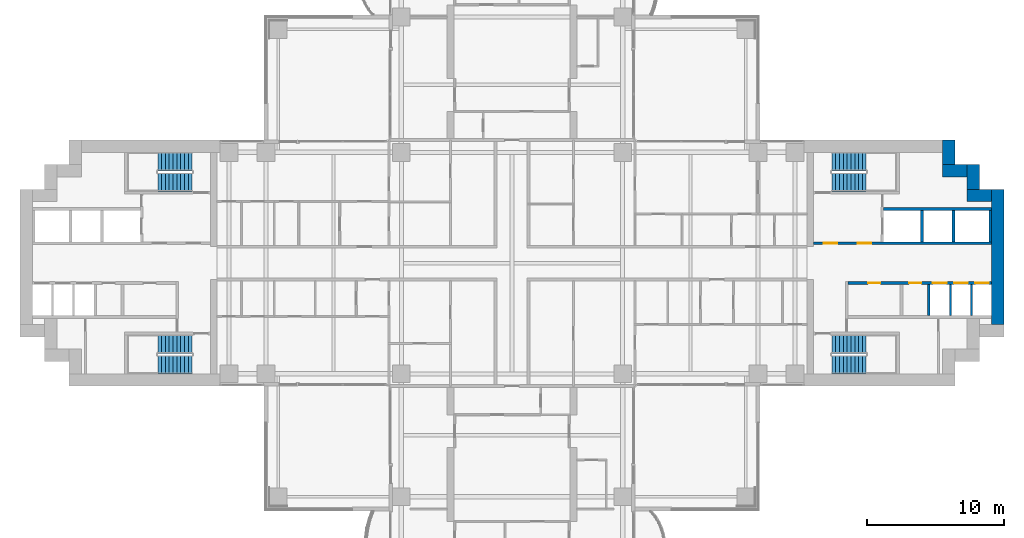
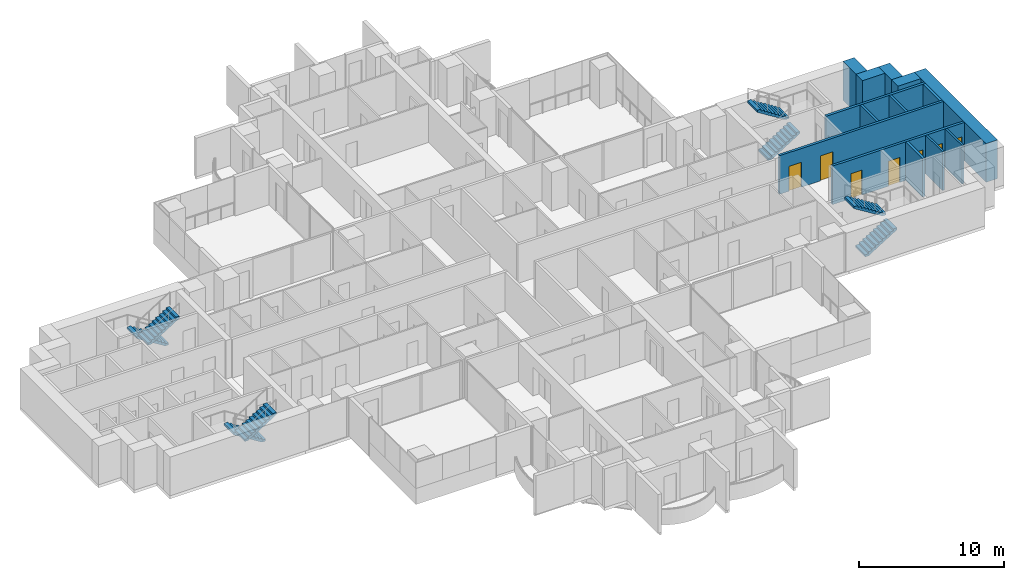
# One storey, part 16 of 20: 14 walls, 8 stair flights, 7 doors, 7 openings, 4 elements without a shape of their own.
"""IFC4 building model written with IfcOpenShell, lengths in metres."""

from ifc_helpers import new_model, si_unit, direction, frame, frame_2d, origin, place, context, subcontext, project, spatial, polyline, rectangle, outline, extrude, material, layer, layer_set, type_object, element, fill, aggregate, save


model = new_model("IFC4")

# Units and contexts
model_context = context("Model", 3, precision=1e-05, world=origin(), true_north=direction((0.0, 1.0)))
body_context = subcontext(model_context, "Body", "Model", "MODEL_VIEW")
ifc_project = project(units=[si_unit("LENGTHUNIT", "METRE"), si_unit("AREAUNIT", "SQUARE_METRE"), si_unit("VOLUMEUNIT", "CUBIC_METRE"), si_unit("PLANEANGLEUNIT", "RADIAN"), si_unit("MASSUNIT", "GRAM", prefix="KILO")], contexts=[model_context])

# Site, building, storey
site_placement = place(None, origin())
site = spatial("IfcSite", under=ifc_project, at=site_placement, CompositionType="ELEMENT")
building_placement = place(site_placement, origin())
building = spatial("IfcBuilding", under=site, at=building_placement, Name="Perihelion Cross Residences", CompositionType="ELEMENT")
storey_placement = place(building_placement, frame((0.0, 0.0, 71.5)))
storey = spatial("IfcBuildingStorey", under=building, at=storey_placement, Name="L15", CompositionType="ELEMENT", Elevation=71.5)

# Walls
ifc_material_1 = material(Name="Concrete C60/75", Category="concrete")
ifc_layer_1 = layer(ifc_material_1, 0.89990234375)
ifc_layer_set_1 = layer_set([ifc_layer_1], Name="Core wall, outer 900")
wall_type_1 = type_object("IfcWallType", Name="Core wall, outer 900", PredefinedType="SHEAR", material=ifc_layer_set_1)
wall_1_placement = place(storey_placement, frame((35.550048828125, -4.5, 0.0), z_axis=(0.0, 0.0, 1.0), x_axis=(0.0, 1.0, 0.0)))
element("IfcWall", 1, at=wall_1_placement, inside=storey, type_object=wall_type_1, Name="East core core wall, outer", PredefinedType="SHEAR", context=body_context, shape_type="SweptSolid", body=[
    extrude(rectangle(XDim=9.89990234375, YDim=0.89990234375, at=frame_2d((4.949951171875, 0.0))), origin(), (0.0, 0.0, 1.0), 3.25),
])
for number, where, z_axis, x_axis, name in (
    (2, (33.300048828125, 4.949951171875, 0.0), (0.0, 0.0, 1.0), (1.0, 0.0, 0.0), "East core core wall, outer"),
    (3, (33.75, 5.39990234375, 0.0), (0.0, 0.0, 1.0), (0.0, 1.0, 0.0), "East core core wall, outer"),
    (4, (31.5, 6.75, 0.0), (0.0, 0.0, 1.0), (1.0, 0.0, 0.0), "East core core wall, outer"),
    (5, (31.949951171875, 7.199951171875, 0.0), (0.0, 0.0, 1.0), (0.0, 1.0, 0.0), "East core core wall, outer"),
):
    element("IfcWall", number, at=place(storey_placement, frame(where, z_axis=z_axis, x_axis=x_axis)), inside=storey, type_object=wall_type_1, Name=name, PredefinedType="SHEAR", context=body_context, shape_type="SweptSolid", body=[
        extrude(rectangle(XDim=1.800048828125, YDim=0.89990234375, at=frame_2d((0.89990234375, 0.0))), origin(), (0.0, 0.0, 1.0), 3.25),
    ])
ifc_material_2 = material(Name="Concrete C50/60", Category="concrete")
ifc_layer_2 = layer(ifc_material_2, 0.14990234375)
ifc_layer_set_2 = layer_set([ifc_layer_2], Name="Shaft wall 150")
wall_type_2 = type_object("IfcWallType", Name="Shaft wall 150", PredefinedType="SOLIDWALL", material=ifc_layer_set_2)
for number, where, z_axis, x_axis, name in (
    (6, (32.074951171875, -3.85009765625, 0.0), (0.0, 0.0, 1.0), (0.0, 1.0, 0.0), "East core shaft wall"),
    (7, (33.625, -3.85009765625, 0.0), (0.0, 0.0, 1.0), (0.0, 1.0, 0.0), "East core shaft wall"),
):
    element("IfcWall", number, at=place(storey_placement, frame(where, z_axis=z_axis, x_axis=x_axis)), inside=storey, type_object=wall_type_2, Name=name, PredefinedType="SOLIDWALL", context=body_context, shape_type="SweptSolid", body=[
        extrude(rectangle(XDim=2.300048828125, YDim=0.14990234375, at=frame_2d((1.14990234375, 0.0))), origin(), (0.0, 0.0, 1.0), 3.25),
    ])

# Wall, openings, doors
ifc_material_3 = material(Name="Concrete C50/60", Category="concrete")
ifc_layer_3 = layer(ifc_material_3, 0.199951171875)
ifc_layer_set_3 = layer_set([ifc_layer_3], Name="Shaft wall 200")
wall_type_3 = type_object("IfcWallType", Name="Shaft wall 200", PredefinedType="SOLIDWALL", material=ifc_layer_set_3)
wall_2_placement = place(storey_placement, frame((22.050048828125, 1.449951171875, 0.0), z_axis=(0.0, 0.0, 1.0), x_axis=(1.0, 0.0, 0.0)))
wall_2 = element("IfcWall", 8, at=wall_2_placement, inside=storey, type_object=wall_type_3, Name="East core shaft wall", PredefinedType="SOLIDWALL", context=body_context, shape_type="SweptSolid", body=[
    extrude(rectangle(XDim=13.050048828125, YDim=0.199951171875, at=frame_2d((6.52490234375, 0.0))), origin(), (0.0, 0.0, 1.0), 3.25),
])
opening_1_placement = place(wall_2_placement, frame((0.75, 0.0, 0.0)))
opening_1 = element("IfcOpeningElement", 9, at=opening_1_placement, cuts=wall_2, Name="Opening L15.C07", PredefinedType="OPENING", context=body_context, shape_type="SweptSolid", body=[
    extrude(rectangle(XDim=1.0, YDim=2.10009765625, at=frame_2d((0.5, 1.050048828125))), frame((0.0, 0.10986328125, 0.0), z_axis=(0.0, -1.0, 0.0), x_axis=(1.0, 0.0, 0.0)), (0.0, 0.0, 1.0), 0.219970703125),
])
opening_2_placement = place(wall_2_placement, frame((3.25, 0.0, 0.0)))
opening_2 = element("IfcOpeningElement", 10, at=opening_2_placement, cuts=wall_2, Name="Opening L15.C09", PredefinedType="OPENING", context=body_context, shape_type="SweptSolid", body=[
    extrude(rectangle(XDim=1.0, YDim=2.10009765625, at=frame_2d((0.5, 1.050048828125))), frame((0.0, 0.10986328125, 0.0), z_axis=(0.0, -1.0, 0.0), x_axis=(1.0, 0.0, 0.0)), (0.0, 0.0, 1.0), 0.219970703125),
])
ifc_material_4 = material(Name="Steel, powder coated", Category="steel")
door_type_1 = type_object("IfcDoorType", Name="Lobby door 1000", OperationType="SINGLE_SWING_LEFT", PredefinedType="DOOR", material=ifc_material_4)
door_1_placement = place(opening_1_placement, origin())
door_1 = element("IfcDoor", 11, at=door_1_placement, inside=storey, type_object=door_type_1, Name="East core firefighting lobby door", OperationType="SINGLE_SWING_LEFT", OverallHeight=2.10009765625, OverallWidth=1.0, PredefinedType="DOOR", context=body_context, shape_type="SweptSolid", body=[
    extrude(rectangle(XDim=1.0, YDim=2.10009765625, at=frame_2d((0.5, 1.050048828125))), frame((0.0, 0.02490234375, 0.0), z_axis=(0.0, -1.0, 0.0), x_axis=(1.0, 0.0, 0.0)), (0.0, 0.0, 1.0), 0.050048828125),
])
fill(opening_1, door_1)
door_2_placement = place(opening_2_placement, origin())
door_2 = element("IfcDoor", 12, at=door_2_placement, inside=storey, type_object=door_type_1, Name="East core firefighting lobby door", OperationType="SINGLE_SWING_LEFT", OverallHeight=2.10009765625, OverallWidth=1.0, PredefinedType="DOOR", context=body_context, shape_type="SweptSolid", body=[
    extrude(rectangle(XDim=1.0, YDim=2.10009765625, at=frame_2d((0.5, 1.050048828125))), frame((0.0, 0.02490234375, 0.0), z_axis=(0.0, -1.0, 0.0), x_axis=(1.0, 0.0, 0.0)), (0.0, 0.0, 1.0), 0.050048828125),
])
fill(opening_2, door_2)

wall_3_placement = place(storey_placement, frame((24.60009765625, -1.449951171875, 0.0), z_axis=(0.0, 0.0, 1.0), x_axis=(1.0, 0.0, 0.0)))
wall_3 = element("IfcWall", 13, at=wall_3_placement, inside=storey, type_object=wall_type_3, Name="East core shaft wall", PredefinedType="SOLIDWALL", context=body_context, shape_type="SweptSolid", body=[
    extrude(rectangle(XDim=10.5, YDim=0.199951171875, at=frame_2d((5.25, 0.0))), origin(), (0.0, 0.0, 1.0), 3.25),
])
opening_3_placement = place(wall_3_placement, frame((6.199951171875, 0.0, 0.0)))
opening_3 = element("IfcOpeningElement", 14, at=opening_3_placement, cuts=wall_3, Name="Opening L15.C02", PredefinedType="OPENING", context=body_context, shape_type="SweptSolid", body=[
    extrude(rectangle(XDim=1.0, YDim=2.10009765625, at=frame_2d((0.5, 1.050048828125))), frame((0.0, 0.10986328125, 0.0), z_axis=(0.0, -1.0, 0.0), x_axis=(1.0, 0.0, 0.0)), (0.0, 0.0, 1.0), 0.219970703125),
])
opening_4_placement = place(wall_3_placement, frame((7.75, 0.0, 0.0)))
opening_4 = element("IfcOpeningElement", 15, at=opening_4_placement, cuts=wall_3, Name="Opening L15.C03", PredefinedType="OPENING", context=body_context, shape_type="SweptSolid", body=[
    extrude(rectangle(XDim=1.0, YDim=2.10009765625, at=frame_2d((0.5, 1.050048828125))), frame((0.0, 0.10986328125, 0.0), z_axis=(0.0, -1.0, 0.0), x_axis=(1.0, 0.0, 0.0)), (0.0, 0.0, 1.0), 0.219970703125),
])
opening_5_placement = place(wall_3_placement, frame((9.300048828125, 0.0, 0.0)))
opening_5 = element("IfcOpeningElement", 16, at=opening_5_placement, cuts=wall_3, Name="Opening L15.C04", PredefinedType="OPENING", context=body_context, shape_type="SweptSolid", body=[
    extrude(rectangle(XDim=1.0, YDim=2.10009765625, at=frame_2d((0.5, 1.050048828125))), frame((0.0, 0.10986328125, 0.0), z_axis=(0.0, -1.0, 0.0), x_axis=(1.0, 0.0, 0.0)), (0.0, 0.0, 1.0), 0.219970703125),
])
opening_6_placement = place(wall_3_placement, frame((1.449951171875, 0.0, 0.0)))
opening_6 = element("IfcOpeningElement", 17, at=opening_6_placement, cuts=wall_3, Name="Opening L15.C10", PredefinedType="OPENING", context=body_context, shape_type="SweptSolid", body=[
    extrude(rectangle(XDim=0.89990234375, YDim=2.10009765625, at=frame_2d((0.449951171875, 1.050048828125))), frame((0.0, 0.10986328125, 0.0), z_axis=(0.0, -1.0, 0.0), x_axis=(1.0, 0.0, 0.0)), (0.0, 0.0, 1.0), 0.219970703125),
])
opening_7_placement = place(wall_3_placement, frame((4.449951171875, 0.0, 0.0)))
opening_7 = element("IfcOpeningElement", 18, at=opening_7_placement, cuts=wall_3, Name="Opening L15.C12", PredefinedType="OPENING", context=body_context, shape_type="SweptSolid", body=[
    extrude(rectangle(XDim=0.89990234375, YDim=2.10009765625, at=frame_2d((0.449951171875, 1.050048828125))), frame((0.0, 0.10986328125, 0.0), z_axis=(0.0, -1.0, 0.0), x_axis=(1.0, 0.0, 0.0)), (0.0, 0.0, 1.0), 0.219970703125),
])
ifc_material_5 = material(Name="Stainless steel", Category="steel")
door_type_2 = type_object("IfcDoorType", Name="Landing door 1000", OperationType="DOUBLE_DOOR_SLIDING", PredefinedType="DOOR", material=ifc_material_5)
door_3_placement = place(opening_3_placement, origin())
door_3 = element("IfcDoor", 19, at=door_3_placement, inside=storey, type_object=door_type_2, Name="Landing door, East core low-rise lift 1", OperationType="DOUBLE_DOOR_SLIDING", OverallHeight=2.10009765625, OverallWidth=1.0, PredefinedType="DOOR", context=body_context, shape_type="SweptSolid", body=[
    extrude(rectangle(XDim=1.0, YDim=2.10009765625, at=frame_2d((0.5, 1.050048828125))), frame((0.0, 0.02490234375, 0.0), z_axis=(0.0, -1.0, 0.0), x_axis=(1.0, 0.0, 0.0)), (0.0, 0.0, 1.0), 0.050048828125),
])
fill(opening_3, door_3)
door_4_placement = place(opening_4_placement, origin())
door_4 = element("IfcDoor", 20, at=door_4_placement, inside=storey, type_object=door_type_2, Name="Landing door, East core low-rise lift 2", OperationType="DOUBLE_DOOR_SLIDING", OverallHeight=2.10009765625, OverallWidth=1.0, PredefinedType="DOOR", context=body_context, shape_type="SweptSolid", body=[
    extrude(rectangle(XDim=1.0, YDim=2.10009765625, at=frame_2d((0.5, 1.050048828125))), frame((0.0, 0.02490234375, 0.0), z_axis=(0.0, -1.0, 0.0), x_axis=(1.0, 0.0, 0.0)), (0.0, 0.0, 1.0), 0.050048828125),
])
fill(opening_4, door_4)
door_5_placement = place(opening_5_placement, origin())
door_5 = element("IfcDoor", 21, at=door_5_placement, inside=storey, type_object=door_type_2, Name="Landing door, East core low-rise lift 3", OperationType="DOUBLE_DOOR_SLIDING", OverallHeight=2.10009765625, OverallWidth=1.0, PredefinedType="DOOR", context=body_context, shape_type="SweptSolid", body=[
    extrude(rectangle(XDim=1.0, YDim=2.10009765625, at=frame_2d((0.5, 1.050048828125))), frame((0.0, 0.02490234375, 0.0), z_axis=(0.0, -1.0, 0.0), x_axis=(1.0, 0.0, 0.0)), (0.0, 0.0, 1.0), 0.050048828125),
])
fill(opening_5, door_5)
ifc_material_6 = material(Name="Steel, powder coated", Category="steel")
door_type_3 = type_object("IfcDoorType", Name="Service room door 900", OperationType="SINGLE_SWING_LEFT", PredefinedType="DOOR", material=ifc_material_6)
door_6_placement = place(opening_6_placement, origin())
door_6 = element("IfcDoor", 22, at=door_6_placement, inside=storey, type_object=door_type_3, Name="East core service room door", OperationType="SINGLE_SWING_LEFT", OverallHeight=2.10009765625, OverallWidth=0.89990234375, PredefinedType="DOOR", context=body_context, shape_type="SweptSolid", body=[
    extrude(rectangle(XDim=0.89990234375, YDim=2.10009765625, at=frame_2d((0.449951171875, 1.050048828125))), frame((0.0, 0.02490234375, 0.0), z_axis=(0.0, -1.0, 0.0), x_axis=(1.0, 0.0, 0.0)), (0.0, 0.0, 1.0), 0.050048828125),
])
fill(opening_6, door_6)
door_7_placement = place(opening_7_placement, origin())
door_7 = element("IfcDoor", 23, at=door_7_placement, inside=storey, type_object=door_type_3, Name="East core service room door", OperationType="SINGLE_SWING_LEFT", OverallHeight=2.10009765625, OverallWidth=0.89990234375, PredefinedType="DOOR", context=body_context, shape_type="SweptSolid", body=[
    extrude(rectangle(XDim=0.89990234375, YDim=2.10009765625, at=frame_2d((0.449951171875, 1.050048828125))), frame((0.0, 0.02490234375, 0.0), z_axis=(0.0, -1.0, 0.0), x_axis=(1.0, 0.0, 0.0)), (0.0, 0.0, 1.0), 0.050048828125),
])
fill(opening_7, door_7)

# Walls
wall_4_placement = place(storey_placement, frame((27.199951171875, 3.949951171875, 0.0), z_axis=(0.0, 0.0, 1.0), x_axis=(1.0, 0.0, 0.0)))
element("IfcWall", 24, at=wall_4_placement, inside=storey, type_object=wall_type_3, Name="East core shaft wall", PredefinedType="SOLIDWALL", context=body_context, shape_type="SweptSolid", body=[
    extrude(rectangle(XDim=7.900146484375, YDim=0.199951171875, at=frame_2d((3.9501953125, 0.0))), origin(), (0.0, 0.0, 1.0), 3.25),
])
for number, where, z_axis, x_axis, name in (
    (25, (30.0, 1.550048828125, 0.0), (0.0, 0.0, 1.0), (0.0, 1.0, 0.0), "East core shaft wall"),
    (26, (32.300048828125, 1.550048828125, 0.0), (0.0, 0.0, 1.0), (0.0, 1.0, 0.0), "East core shaft wall"),
    (27, (35.0, 1.550048828125, 0.0), (0.0, 0.0, 1.0), (0.0, 1.0, 0.0), "East core shaft wall"),
    (28, (30.5, -3.85009765625, 0.0), (0.0, 0.0, 1.0), (0.0, 1.0, 0.0), "East core shaft wall"),
):
    element("IfcWall", number, at=place(storey_placement, frame(where, z_axis=z_axis, x_axis=x_axis)), inside=storey, type_object=wall_type_3, Name=name, PredefinedType="SOLIDWALL", context=body_context, shape_type="SweptSolid", body=[
        extrude(rectangle(XDim=2.300048828125, YDim=0.199951171875, at=frame_2d((1.14990234375, 0.0))), origin(), (0.0, 0.0, 1.0), 3.25),
    ])

# Stair, stair flights
ifc_material_7 = material(Name="Concrete C40/50", Category="concrete")
stair_type = type_object("IfcStairType", Name="Exit stair, half-turn", PredefinedType="HALF_TURN_STAIR", material=ifc_material_7)
stair_1_placement = place(storey_placement, origin())
stair_1 = element("IfcStair", 29, at=stair_1_placement, inside=storey, type_object=stair_type, Name="L15 East core exit stair 1", PredefinedType="HALF_TURN_STAIR")
ifc_material_8 = material(Name="Concrete C40/50", Category="concrete")
stair_flight_type = type_object("IfcStairFlightType", Name="Exit stair flight", PredefinedType="STRAIGHT", material=ifc_material_8)
stair_flight_1_placement = place(storey_placement, frame((23.39990234375, 5.925048828125, 0.0), z_axis=(0.0, 0.0, 1.0), x_axis=(1.0, 0.0, 0.0)))
stair_flight_1 = element("IfcStairFlight", 30, at=stair_flight_1_placement, type_object=stair_flight_type, Name="ST-E1 flight 1", NumberOfRisers=10, NumberOfTreads=9, PredefinedType="STRAIGHT", RiserHeight=0.175, TreadLength=0.28, context=body_context, shape_type="SweptSolid", body=[
    extrude(outline(polyline([(0.0, 0.0), (0.0, 0.175048828125), (0.280029296875, 0.175048828125), (0.280029296875, 0.35009765625), (0.56005859375, 0.35009765625), (0.56005859375, 0.52490234375), (0.840087890625, 0.52490234375), (0.840087890625, 0.699951171875), (1.1201171875, 0.699951171875), (1.1201171875, 0.875), (1.39990234375, 0.875), (1.39990234375, 1.050048828125), (1.679931640625, 1.050048828125), (1.679931640625, 1.22509765625), (1.9599609375, 1.22509765625), (1.9599609375, 1.39990234375), (2.239990234375, 1.39990234375), (2.239990234375, 1.574951171875), (2.52001953125, 1.574951171875), (2.52001953125, 1.75), (2.52001953125, 1.398193359375), (0.28271484375, 0.0), (0.0, 0.0)])), frame((0.0, 0.675048828125, 0.0), z_axis=(0.0, -1.0, 0.0), x_axis=(1.0, 0.0, 0.0)), (0.0, 0.0, 1.0), 1.35009765625),
])
stair_flight_2_placement = place(storey_placement, frame((25.919921875, 7.425048828125, 1.75), z_axis=(0.0, 0.0, 1.0), x_axis=(-1.0, 0.0, 0.0)))
stair_flight_2 = element("IfcStairFlight", 31, at=stair_flight_2_placement, type_object=stair_flight_type, Name="ST-E1 flight 2", NumberOfRisers=10, NumberOfTreads=9, PredefinedType="STRAIGHT", RiserHeight=0.175, TreadLength=0.28, context=body_context, shape_type="SweptSolid", body=[
    extrude(outline(polyline([(0.0, 0.0), (0.0, 0.175048828125), (0.280029296875, 0.175048828125), (0.280029296875, 0.35009765625), (0.56005859375, 0.35009765625), (0.56005859375, 0.52490234375), (0.840087890625, 0.52490234375), (0.840087890625, 0.699951171875), (1.1201171875, 0.699951171875), (1.1201171875, 0.875), (1.39990234375, 0.875), (1.39990234375, 1.050048828125), (1.679931640625, 1.050048828125), (1.679931640625, 1.22509765625), (1.9599609375, 1.22509765625), (1.9599609375, 1.39990234375), (2.239990234375, 1.39990234375), (2.239990234375, 1.574951171875), (2.52001953125, 1.574951171875), (2.52001953125, 1.75), (2.52001953125, 1.398193359375), (0.28271484375, 0.0), (0.0, 0.0)])), frame((0.0, 0.675048828125, 0.0), z_axis=(0.0, -1.0, 0.0), x_axis=(1.0, 0.0, 0.0)), (0.0, 0.0, 1.0), 1.35009765625),
])
aggregate(stair_1, [stair_flight_1, stair_flight_2])

stair_2_placement = place(storey_placement, origin())
stair_2 = element("IfcStair", 32, at=stair_2_placement, inside=storey, type_object=stair_type, Name="L15 East core exit stair 2", PredefinedType="HALF_TURN_STAIR")
stair_flight_3_placement = place(storey_placement, frame((23.39990234375, -7.425048828125, 0.0), z_axis=(0.0, 0.0, 1.0), x_axis=(1.0, 0.0, 0.0)))
stair_flight_3 = element("IfcStairFlight", 33, at=stair_flight_3_placement, type_object=stair_flight_type, Name="ST-E2 flight 1", NumberOfRisers=10, NumberOfTreads=9, PredefinedType="STRAIGHT", RiserHeight=0.175, TreadLength=0.28, context=body_context, shape_type="SweptSolid", body=[
    extrude(outline(polyline([(0.0, 0.0), (0.0, 0.175048828125), (0.280029296875, 0.175048828125), (0.280029296875, 0.35009765625), (0.56005859375, 0.35009765625), (0.56005859375, 0.52490234375), (0.840087890625, 0.52490234375), (0.840087890625, 0.699951171875), (1.1201171875, 0.699951171875), (1.1201171875, 0.875), (1.39990234375, 0.875), (1.39990234375, 1.050048828125), (1.679931640625, 1.050048828125), (1.679931640625, 1.22509765625), (1.9599609375, 1.22509765625), (1.9599609375, 1.39990234375), (2.239990234375, 1.39990234375), (2.239990234375, 1.574951171875), (2.52001953125, 1.574951171875), (2.52001953125, 1.75), (2.52001953125, 1.398193359375), (0.28271484375, 0.0), (0.0, 0.0)])), frame((0.0, 0.675048828125, 0.0), z_axis=(0.0, -1.0, 0.0), x_axis=(1.0, 0.0, 0.0)), (0.0, 0.0, 1.0), 1.35009765625),
])
stair_flight_4_placement = place(storey_placement, frame((25.919921875, -5.925048828125, 1.75), z_axis=(0.0, 0.0, 1.0), x_axis=(-1.0, 0.0, 0.0)))
stair_flight_4 = element("IfcStairFlight", 34, at=stair_flight_4_placement, type_object=stair_flight_type, Name="ST-E2 flight 2", NumberOfRisers=10, NumberOfTreads=9, PredefinedType="STRAIGHT", RiserHeight=0.175, TreadLength=0.28, context=body_context, shape_type="SweptSolid", body=[
    extrude(outline(polyline([(0.0, 0.0), (0.0, 0.175048828125), (0.280029296875, 0.175048828125), (0.280029296875, 0.35009765625), (0.56005859375, 0.35009765625), (0.56005859375, 0.52490234375), (0.840087890625, 0.52490234375), (0.840087890625, 0.699951171875), (1.1201171875, 0.699951171875), (1.1201171875, 0.875), (1.39990234375, 0.875), (1.39990234375, 1.050048828125), (1.679931640625, 1.050048828125), (1.679931640625, 1.22509765625), (1.9599609375, 1.22509765625), (1.9599609375, 1.39990234375), (2.239990234375, 1.39990234375), (2.239990234375, 1.574951171875), (2.52001953125, 1.574951171875), (2.52001953125, 1.75), (2.52001953125, 1.398193359375), (0.28271484375, 0.0), (0.0, 0.0)])), frame((0.0, 0.675048828125, 0.0), z_axis=(0.0, -1.0, 0.0), x_axis=(1.0, 0.0, 0.0)), (0.0, 0.0, 1.0), 1.35009765625),
])
aggregate(stair_2, [stair_flight_3, stair_flight_4])

stair_3_placement = place(storey_placement, origin())
stair_3 = element("IfcStair", 35, at=stair_3_placement, inside=storey, type_object=stair_type, Name="L15 West core exit stair 1", PredefinedType="HALF_TURN_STAIR")
stair_flight_5_placement = place(storey_placement, frame((-23.39990234375, 7.425048828125, 0.0), z_axis=(0.0, 0.0, 1.0), x_axis=(-1.0, 0.0, 0.0)))
stair_flight_5 = element("IfcStairFlight", 36, at=stair_flight_5_placement, type_object=stair_flight_type, Name="ST-W1 flight 1", NumberOfRisers=10, NumberOfTreads=9, PredefinedType="STRAIGHT", RiserHeight=0.175, TreadLength=0.28, context=body_context, shape_type="SweptSolid", body=[
    extrude(outline(polyline([(0.0, 0.0), (0.0, 0.175048828125), (0.280029296875, 0.175048828125), (0.280029296875, 0.35009765625), (0.56005859375, 0.35009765625), (0.56005859375, 0.52490234375), (0.840087890625, 0.52490234375), (0.840087890625, 0.699951171875), (1.1201171875, 0.699951171875), (1.1201171875, 0.875), (1.39990234375, 0.875), (1.39990234375, 1.050048828125), (1.679931640625, 1.050048828125), (1.679931640625, 1.22509765625), (1.9599609375, 1.22509765625), (1.9599609375, 1.39990234375), (2.239990234375, 1.39990234375), (2.239990234375, 1.574951171875), (2.52001953125, 1.574951171875), (2.52001953125, 1.75), (2.52001953125, 1.398193359375), (0.28271484375, 0.0), (0.0, 0.0)])), frame((0.0, 0.675048828125, 0.0), z_axis=(0.0, -1.0, 0.0), x_axis=(1.0, 0.0, 0.0)), (0.0, 0.0, 1.0), 1.35009765625),
])
stair_flight_6_placement = place(storey_placement, frame((-25.919921875, 5.925048828125, 1.75), z_axis=(0.0, 0.0, 1.0), x_axis=(1.0, 0.0, 0.0)))
stair_flight_6 = element("IfcStairFlight", 37, at=stair_flight_6_placement, type_object=stair_flight_type, Name="ST-W1 flight 2", NumberOfRisers=10, NumberOfTreads=9, PredefinedType="STRAIGHT", RiserHeight=0.175, TreadLength=0.28, context=body_context, shape_type="SweptSolid", body=[
    extrude(outline(polyline([(0.0, 0.0), (0.0, 0.175048828125), (0.280029296875, 0.175048828125), (0.280029296875, 0.35009765625), (0.56005859375, 0.35009765625), (0.56005859375, 0.52490234375), (0.840087890625, 0.52490234375), (0.840087890625, 0.699951171875), (1.1201171875, 0.699951171875), (1.1201171875, 0.875), (1.39990234375, 0.875), (1.39990234375, 1.050048828125), (1.679931640625, 1.050048828125), (1.679931640625, 1.22509765625), (1.9599609375, 1.22509765625), (1.9599609375, 1.39990234375), (2.239990234375, 1.39990234375), (2.239990234375, 1.574951171875), (2.52001953125, 1.574951171875), (2.52001953125, 1.75), (2.52001953125, 1.398193359375), (0.28271484375, 0.0), (0.0, 0.0)])), frame((0.0, 0.675048828125, 0.0), z_axis=(0.0, -1.0, 0.0), x_axis=(1.0, 0.0, 0.0)), (0.0, 0.0, 1.0), 1.35009765625),
])
aggregate(stair_3, [stair_flight_5, stair_flight_6])

stair_4_placement = place(storey_placement, origin())
stair_4 = element("IfcStair", 38, at=stair_4_placement, inside=storey, type_object=stair_type, Name="L15 West core exit stair 2", PredefinedType="HALF_TURN_STAIR")
stair_flight_7_placement = place(storey_placement, frame((-23.39990234375, -5.925048828125, 0.0), z_axis=(0.0, 0.0, 1.0), x_axis=(-1.0, 0.0, 0.0)))
stair_flight_7 = element("IfcStairFlight", 39, at=stair_flight_7_placement, type_object=stair_flight_type, Name="ST-W2 flight 1", NumberOfRisers=10, NumberOfTreads=9, PredefinedType="STRAIGHT", RiserHeight=0.175, TreadLength=0.28, context=body_context, shape_type="SweptSolid", body=[
    extrude(outline(polyline([(0.0, 0.0), (0.0, 0.175048828125), (0.280029296875, 0.175048828125), (0.280029296875, 0.35009765625), (0.56005859375, 0.35009765625), (0.56005859375, 0.52490234375), (0.840087890625, 0.52490234375), (0.840087890625, 0.699951171875), (1.1201171875, 0.699951171875), (1.1201171875, 0.875), (1.39990234375, 0.875), (1.39990234375, 1.050048828125), (1.679931640625, 1.050048828125), (1.679931640625, 1.22509765625), (1.9599609375, 1.22509765625), (1.9599609375, 1.39990234375), (2.239990234375, 1.39990234375), (2.239990234375, 1.574951171875), (2.52001953125, 1.574951171875), (2.52001953125, 1.75), (2.52001953125, 1.398193359375), (0.28271484375, 0.0), (0.0, 0.0)])), frame((0.0, 0.675048828125, 0.0), z_axis=(0.0, -1.0, 0.0), x_axis=(1.0, 0.0, 0.0)), (0.0, 0.0, 1.0), 1.35009765625),
])
stair_flight_8_placement = place(storey_placement, frame((-25.919921875, -7.425048828125, 1.75), z_axis=(0.0, 0.0, 1.0), x_axis=(1.0, 0.0, 0.0)))
stair_flight_8 = element("IfcStairFlight", 40, at=stair_flight_8_placement, type_object=stair_flight_type, Name="ST-W2 flight 2", NumberOfRisers=10, NumberOfTreads=9, PredefinedType="STRAIGHT", RiserHeight=0.175, TreadLength=0.28, context=body_context, shape_type="SweptSolid", body=[
    extrude(outline(polyline([(0.0, 0.0), (0.0, 0.175048828125), (0.280029296875, 0.175048828125), (0.280029296875, 0.35009765625), (0.56005859375, 0.35009765625), (0.56005859375, 0.52490234375), (0.840087890625, 0.52490234375), (0.840087890625, 0.699951171875), (1.1201171875, 0.699951171875), (1.1201171875, 0.875), (1.39990234375, 0.875), (1.39990234375, 1.050048828125), (1.679931640625, 1.050048828125), (1.679931640625, 1.22509765625), (1.9599609375, 1.22509765625), (1.9599609375, 1.39990234375), (2.239990234375, 1.39990234375), (2.239990234375, 1.574951171875), (2.52001953125, 1.574951171875), (2.52001953125, 1.75), (2.52001953125, 1.398193359375), (0.28271484375, 0.0), (0.0, 0.0)])), frame((0.0, 0.675048828125, 0.0), z_axis=(0.0, -1.0, 0.0), x_axis=(1.0, 0.0, 0.0)), (0.0, 0.0, 1.0), 1.35009765625),
])
aggregate(stair_4, [stair_flight_7, stair_flight_8])

save(model, "model.ifc")
